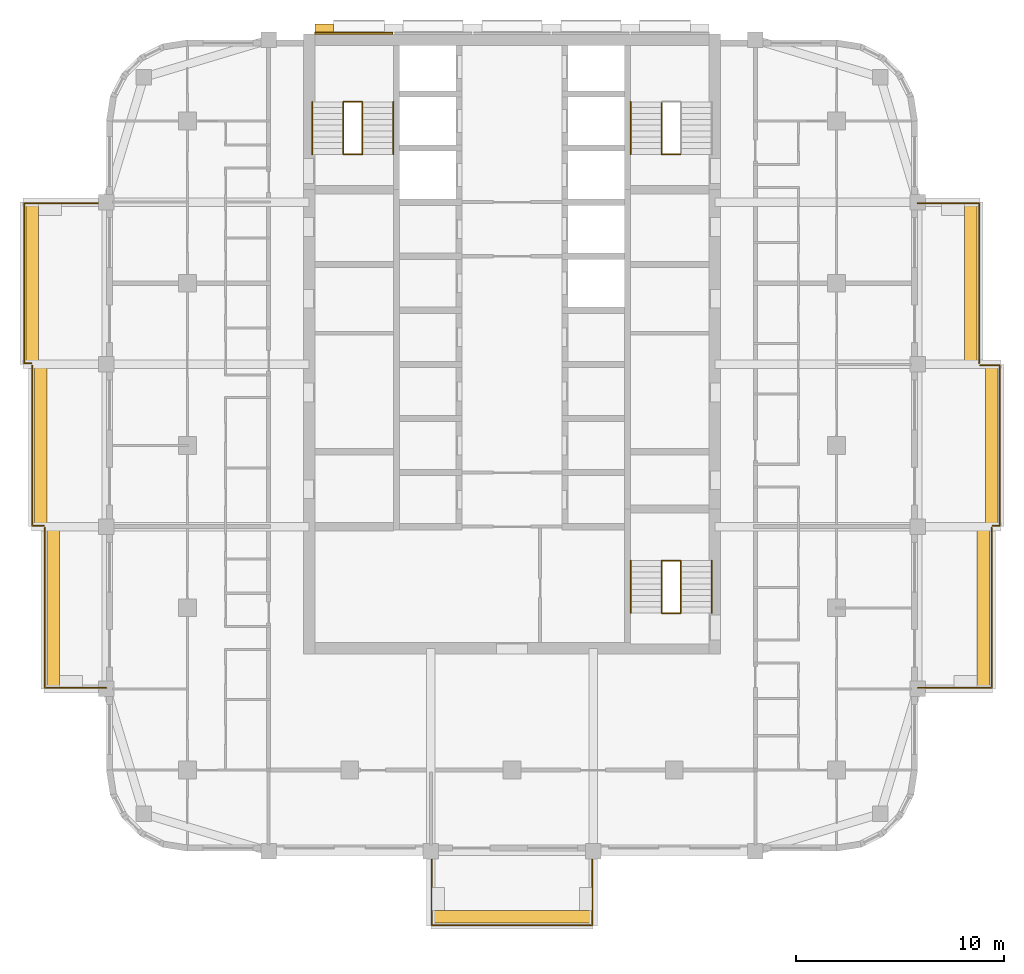
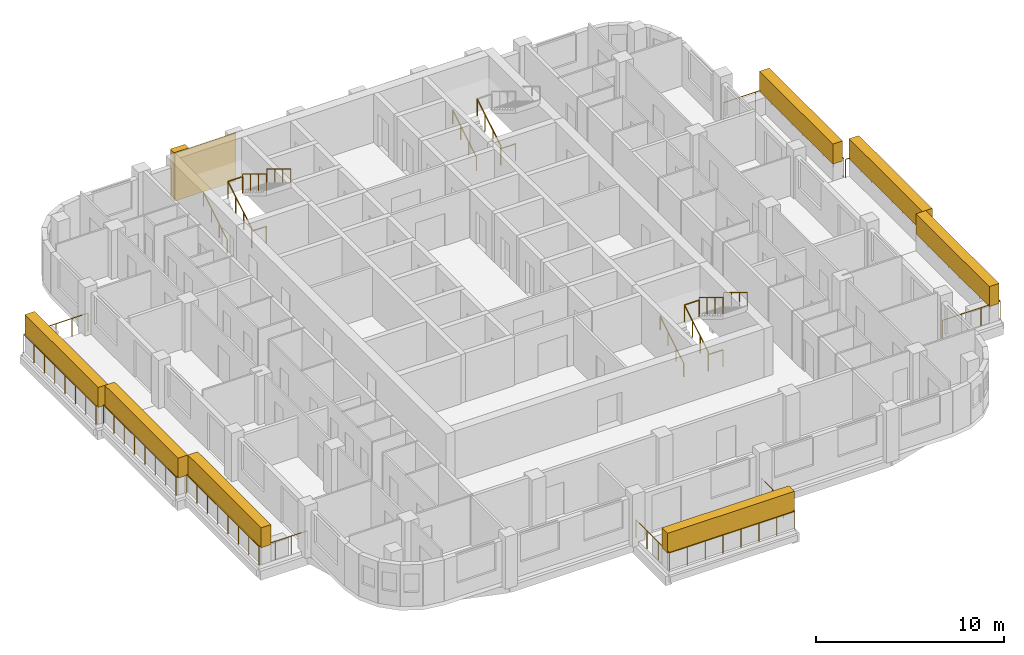
# One storey, part 12 of 13: 22 railings, 9 coverings, 3 elements without a shape of their own.
"""IFC4 building model written with IfcOpenShell, lengths in metres."""

from ifc_helpers import new_model, si_unit, direction, frame, origin, origin_2d, place, context, subcontext, project, spatial, rectangle, circle, extrude, material, layer, layer_set, type_object, element, aggregate, save


model = new_model("IFC4")

# Units and contexts
model_context = context("Model", 3, precision=1e-05, world=origin(), true_north=direction((0.0, 1.0)))
body_context = subcontext(model_context, "Body", "Model", "MODEL_VIEW")
ifc_project = project(units=[si_unit("LENGTHUNIT", "METRE"), si_unit("AREAUNIT", "SQUARE_METRE"), si_unit("VOLUMEUNIT", "CUBIC_METRE"), si_unit("PLANEANGLEUNIT", "RADIAN"), si_unit("MASSUNIT", "GRAM", prefix="KILO")], contexts=[model_context])

# Site, building, storey
site_placement = place(None, origin())
site = spatial("IfcSite", under=ifc_project, at=site_placement, CompositionType="ELEMENT")
building_placement = place(site_placement, origin())
building = spatial("IfcBuilding", under=site, at=building_placement, Name="Ludao Terraces", CompositionType="ELEMENT")
storey_placement = place(building_placement, frame((0.0, 0.0, 165.60009765625)))
storey = spatial("IfcBuildingStorey", under=building, at=storey_placement, Name="L45", CompositionType="ELEMENT", Elevation=165.60009765625)

# Railings
ifc_material_1 = material(Name="Stainless steel 304", Category="steel")
railing_type_1 = type_object("IfcRailingType", Name="ENV Balcony glass guard 1200", PredefinedType="GUARDRAIL", material=ifc_material_1)
railing_1_placement = place(storey_placement, frame((81.14990234375, 45.5, 0.0)))
element("IfcRailing", 1, at=railing_1_placement, inside=storey, type_object=railing_type_1, Name="Balcony guard L45 S1", PredefinedType="GUARDRAIL", context=body_context, shape_type="SweptSolid", body=[
    extrude(circle(Radius=0.02392578125, at=origin_2d()), frame((0.0, 0.0, 1.17578125), z_axis=(0.0, -1.0, 0.0), x_axis=(1.0, 0.0, 0.0)), (0.0, 0.0, 1.0), 3.550048828125),
    extrude(circle(Radius=0.02392578125, at=origin_2d()), frame((0.0, -3.550048828125, 1.17578125), z_axis=(1.0, 0.0, 0.0), x_axis=(0.0, 1.0, 0.0)), (0.0, 0.0, 1.0), 7.7001953125),
    extrude(circle(Radius=0.02392578125, at=origin_2d()), frame((7.7001953125, -3.550048828125, 1.17578125), z_axis=(0.0, 1.0, 0.0), x_axis=(-1.0, 0.0, 0.0)), (0.0, 0.0, 1.0), 3.550048828125),
    extrude(circle(Radius=0.02099609375, at=origin_2d()), origin(), (0.0, 0.0, 1.0), 1.15185546875),
    extrude(circle(Radius=0.02099609375, at=origin_2d()), frame((0.0, -1.183349609375, 0.0)), (0.0, 0.0, 1.0), 1.15185546875),
    extrude(circle(Radius=0.02099609375, at=origin_2d()), frame((0.0, -2.36669921875, 0.0)), (0.0, 0.0, 1.0), 1.15185546875),
    extrude(circle(Radius=0.02099609375, at=origin_2d()), frame((0.0, -3.550048828125, 0.0)), (0.0, 0.0, 1.0), 1.15185546875),
    extrude(circle(Radius=0.02099609375, at=origin_2d()), frame((1.10009765625, -3.550048828125, 0.0)), (0.0, 0.0, 1.0), 1.15185546875),
    extrude(circle(Radius=0.02099609375, at=origin_2d()), frame((2.199951171875, -3.550048828125, 0.0)), (0.0, 0.0, 1.0), 1.15185546875),
    extrude(circle(Radius=0.02099609375, at=origin_2d()), frame((3.300048828125, -3.550048828125, 0.0)), (0.0, 0.0, 1.0), 1.15185546875),
    extrude(circle(Radius=0.02099609375, at=origin_2d()), frame((4.400146484375, -3.550048828125, 0.0)), (0.0, 0.0, 1.0), 1.15185546875),
    extrude(circle(Radius=0.02099609375, at=origin_2d()), frame((5.500244140625, -3.550048828125, 0.0)), (0.0, 0.0, 1.0), 1.15185546875),
    extrude(circle(Radius=0.02099609375, at=origin_2d()), frame((6.60009765625, -3.550048828125, 0.0)), (0.0, 0.0, 1.0), 1.15185546875),
    extrude(circle(Radius=0.02099609375, at=origin_2d()), frame((7.7001953125, -3.550048828125, 0.0)), (0.0, 0.0, 1.0), 1.15185546875),
    extrude(circle(Radius=0.02099609375, at=origin_2d()), frame((7.7001953125, -2.36669921875, 0.0)), (0.0, 0.0, 1.0), 1.15185546875),
    extrude(circle(Radius=0.02099609375, at=origin_2d()), frame((7.7001953125, -1.183349609375, 0.0)), (0.0, 0.0, 1.0), 1.15185546875),
    extrude(circle(Radius=0.02099609375, at=origin_2d()), frame((7.7001953125, 0.0, 0.0)), (0.0, 0.0, 1.0), 1.15185546875),
])
railing_2_placement = place(storey_placement, frame((104.5, 53.35009765625, 0.0)))
element("IfcRailing", 2, at=railing_2_placement, inside=storey, type_object=railing_type_1, Name="Balcony guard L45 E1", PredefinedType="GUARDRAIL", context=body_context, shape_type="SweptSolid", body=[
    extrude(circle(Radius=0.02392578125, at=origin_2d()), frame((0.0, 0.0, 1.17578125), z_axis=(1.0, 0.0, 0.0), x_axis=(0.0, 1.0, 0.0)), (0.0, 0.0, 1.0), 3.550048828125),
    extrude(circle(Radius=0.02392578125, at=origin_2d()), frame((3.550048828125, 0.0, 1.17578125), z_axis=(0.0, 1.0, 0.0), x_axis=(-1.0, 0.0, 0.0)), (0.0, 0.0, 1.0), 7.699951171875),
    extrude(circle(Radius=0.02099609375, at=origin_2d()), origin(), (0.0, 0.0, 1.0), 1.15185546875),
    extrude(circle(Radius=0.02099609375, at=origin_2d()), frame((1.183349609375, 0.0, 0.0)), (0.0, 0.0, 1.0), 1.15185546875),
    extrude(circle(Radius=0.02099609375, at=origin_2d()), frame((2.36669921875, 0.0, 0.0)), (0.0, 0.0, 1.0), 1.15185546875),
    extrude(circle(Radius=0.02099609375, at=origin_2d()), frame((3.550048828125, 0.0, 0.0)), (0.0, 0.0, 1.0), 1.15185546875),
    extrude(circle(Radius=0.02099609375, at=origin_2d()), frame((3.550048828125, 1.10009765625, 0.0)), (0.0, 0.0, 1.0), 1.15185546875),
    extrude(circle(Radius=0.02099609375, at=origin_2d()), frame((3.550048828125, 2.199951171875, 0.0)), (0.0, 0.0, 1.0), 1.15185546875),
    extrude(circle(Radius=0.02099609375, at=origin_2d()), frame((3.550048828125, 3.300048828125, 0.0)), (0.0, 0.0, 1.0), 1.15185546875),
    extrude(circle(Radius=0.02099609375, at=origin_2d()), frame((3.550048828125, 4.39990234375, 0.0)), (0.0, 0.0, 1.0), 1.15185546875),
    extrude(circle(Radius=0.02099609375, at=origin_2d()), frame((3.550048828125, 5.5, 0.0)), (0.0, 0.0, 1.0), 1.15185546875),
    extrude(circle(Radius=0.02099609375, at=origin_2d()), frame((3.550048828125, 6.599853515625, 0.0)), (0.0, 0.0, 1.0), 1.15185546875),
    extrude(circle(Radius=0.02099609375, at=origin_2d()), frame((3.550048828125, 7.699951171875, 0.0)), (0.0, 0.0, 1.0), 1.15185546875),
])
railing_3_placement = place(storey_placement, frame((108.10009765625, 61.14990234375, 0.0)))
element("IfcRailing", 3, at=railing_3_placement, inside=storey, type_object=railing_type_1, Name="Balcony guard L45 E2", PredefinedType="GUARDRAIL", context=body_context, shape_type="SweptSolid", body=[
    extrude(circle(Radius=0.02392578125, at=origin_2d()), frame((0.0, 0.0, 1.17578125), z_axis=(1.0, 0.0, 0.0), x_axis=(0.0, 1.0, 0.0)), (0.0, 0.0, 1.0), 0.349853515625),
    extrude(circle(Radius=0.02392578125, at=origin_2d()), frame((0.349853515625, 0.0, 1.17578125), z_axis=(0.0, 1.0, 0.0), x_axis=(-1.0, 0.0, 0.0)), (0.0, 0.0, 1.0), 7.7001953125),
    extrude(circle(Radius=0.02392578125, at=origin_2d()), frame((0.349853515625, 7.7001953125, 1.17578125), z_axis=(-1.0, 0.0, 0.0), x_axis=(0.0, -1.0, 0.0)), (0.0, 0.0, 1.0), 0.949951171875),
    extrude(circle(Radius=0.02099609375, at=origin_2d()), origin(), (0.0, 0.0, 1.0), 1.15185546875),
    extrude(circle(Radius=0.02099609375, at=origin_2d()), frame((0.349853515625, 0.0, 0.0)), (0.0, 0.0, 1.0), 1.15185546875),
    extrude(circle(Radius=0.02099609375, at=origin_2d()), frame((0.349853515625, 1.10009765625, 0.0)), (0.0, 0.0, 1.0), 1.15185546875),
    extrude(circle(Radius=0.02099609375, at=origin_2d()), frame((0.349853515625, 2.199951171875, 0.0)), (0.0, 0.0, 1.0), 1.15185546875),
    extrude(circle(Radius=0.02099609375, at=origin_2d()), frame((0.349853515625, 3.300048828125, 0.0)), (0.0, 0.0, 1.0), 1.15185546875),
    extrude(circle(Radius=0.02099609375, at=origin_2d()), frame((0.349853515625, 4.400146484375, 0.0)), (0.0, 0.0, 1.0), 1.15185546875),
    extrude(circle(Radius=0.02099609375, at=origin_2d()), frame((0.349853515625, 5.500244140625, 0.0)), (0.0, 0.0, 1.0), 1.15185546875),
    extrude(circle(Radius=0.02099609375, at=origin_2d()), frame((0.349853515625, 6.60009765625, 0.0)), (0.0, 0.0, 1.0), 1.15185546875),
    extrude(circle(Radius=0.02099609375, at=origin_2d()), frame((0.349853515625, 7.7001953125, 0.0)), (0.0, 0.0, 1.0), 1.15185546875),
    extrude(circle(Radius=0.02099609375, at=origin_2d()), frame((-0.60009765625, 7.7001953125, 0.0)), (0.0, 0.0, 1.0), 1.15185546875),
])
railing_4_placement = place(storey_placement, frame((107.449951171875, 68.949951171875, 0.0)))
element("IfcRailing", 4, at=railing_4_placement, inside=storey, type_object=railing_type_1, Name="Balcony guard L45 E3", PredefinedType="GUARDRAIL", context=body_context, shape_type="SweptSolid", body=[
    extrude(circle(Radius=0.02392578125, at=origin_2d()), frame((0.0, 0.0, 1.17578125), z_axis=(0.0, 1.0, 0.0), x_axis=(-1.0, 0.0, 0.0)), (0.0, 0.0, 1.0), 7.699951171875),
    extrude(circle(Radius=0.02392578125, at=origin_2d()), frame((0.0, 7.699951171875, 1.17578125), z_axis=(-1.0, 0.0, 0.0), x_axis=(0.0, -1.0, 0.0)), (0.0, 0.0, 1.0), 2.949951171875),
    extrude(circle(Radius=0.02099609375, at=origin_2d()), origin(), (0.0, 0.0, 1.0), 1.15185546875),
    extrude(circle(Radius=0.02099609375, at=origin_2d()), frame((0.0, 1.10009765625, 0.0)), (0.0, 0.0, 1.0), 1.15185546875),
    extrude(circle(Radius=0.02099609375, at=origin_2d()), frame((0.0, 2.199951171875, 0.0)), (0.0, 0.0, 1.0), 1.15185546875),
    extrude(circle(Radius=0.02099609375, at=origin_2d()), frame((0.0, 3.300048828125, 0.0)), (0.0, 0.0, 1.0), 1.15185546875),
    extrude(circle(Radius=0.02099609375, at=origin_2d()), frame((0.0, 4.39990234375, 0.0)), (0.0, 0.0, 1.0), 1.15185546875),
    extrude(circle(Radius=0.02099609375, at=origin_2d()), frame((0.0, 5.5, 0.0)), (0.0, 0.0, 1.0), 1.15185546875),
    extrude(circle(Radius=0.02099609375, at=origin_2d()), frame((0.0, 6.599853515625, 0.0)), (0.0, 0.0, 1.0), 1.15185546875),
    extrude(circle(Radius=0.02099609375, at=origin_2d()), frame((0.0, 7.699951171875, 0.0)), (0.0, 0.0, 1.0), 1.15185546875),
    extrude(circle(Radius=0.02099609375, at=origin_2d()), frame((-0.9833984375, 7.699951171875, 0.0)), (0.0, 0.0, 1.0), 1.15185546875),
    extrude(circle(Radius=0.02099609375, at=origin_2d()), frame((-1.966552734375, 7.699951171875, 0.0)), (0.0, 0.0, 1.0), 1.15185546875),
    extrude(circle(Radius=0.02099609375, at=origin_2d()), frame((-2.949951171875, 7.699951171875, 0.0)), (0.0, 0.0, 1.0), 1.15185546875),
])
railing_5_placement = place(storey_placement, frame((65.5, 53.35009765625, 0.0)))
element("IfcRailing", 5, at=railing_5_placement, inside=storey, type_object=railing_type_1, Name="Balcony guard L45 W1", PredefinedType="GUARDRAIL", context=body_context, shape_type="SweptSolid", body=[
    extrude(circle(Radius=0.02392578125, at=origin_2d()), frame((0.0, 0.0, 1.17578125), z_axis=(-1.0, 0.0, 0.0), x_axis=(0.0, -1.0, 0.0)), (0.0, 0.0, 1.0), 2.949951171875),
    extrude(circle(Radius=0.02392578125, at=origin_2d()), frame((-2.949951171875, 0.0, 1.17578125), z_axis=(0.0, 1.0, 0.0), x_axis=(-1.0, 0.0, 0.0)), (0.0, 0.0, 1.0), 7.699951171875),
    extrude(circle(Radius=0.02099609375, at=origin_2d()), origin(), (0.0, 0.0, 1.0), 1.15185546875),
    extrude(circle(Radius=0.02099609375, at=origin_2d()), frame((-0.9833984375, 0.0, 0.0)), (0.0, 0.0, 1.0), 1.15185546875),
    extrude(circle(Radius=0.02099609375, at=origin_2d()), frame((-1.966552734375, 0.0, 0.0)), (0.0, 0.0, 1.0), 1.15185546875),
    extrude(circle(Radius=0.02099609375, at=origin_2d()), frame((-2.949951171875, 0.0, 0.0)), (0.0, 0.0, 1.0), 1.15185546875),
    extrude(circle(Radius=0.02099609375, at=origin_2d()), frame((-2.949951171875, 1.10009765625, 0.0)), (0.0, 0.0, 1.0), 1.15185546875),
    extrude(circle(Radius=0.02099609375, at=origin_2d()), frame((-2.949951171875, 2.199951171875, 0.0)), (0.0, 0.0, 1.0), 1.15185546875),
    extrude(circle(Radius=0.02099609375, at=origin_2d()), frame((-2.949951171875, 3.300048828125, 0.0)), (0.0, 0.0, 1.0), 1.15185546875),
    extrude(circle(Radius=0.02099609375, at=origin_2d()), frame((-2.949951171875, 4.39990234375, 0.0)), (0.0, 0.0, 1.0), 1.15185546875),
    extrude(circle(Radius=0.02099609375, at=origin_2d()), frame((-2.949951171875, 5.5, 0.0)), (0.0, 0.0, 1.0), 1.15185546875),
    extrude(circle(Radius=0.02099609375, at=origin_2d()), frame((-2.949951171875, 6.599853515625, 0.0)), (0.0, 0.0, 1.0), 1.15185546875),
    extrude(circle(Radius=0.02099609375, at=origin_2d()), frame((-2.949951171875, 7.699951171875, 0.0)), (0.0, 0.0, 1.0), 1.15185546875),
])
railing_6_placement = place(storey_placement, frame((62.5, 61.14990234375, 0.0)))
element("IfcRailing", 6, at=railing_6_placement, inside=storey, type_object=railing_type_1, Name="Balcony guard L45 W2", PredefinedType="GUARDRAIL", context=body_context, shape_type="SweptSolid", body=[
    extrude(circle(Radius=0.02392578125, at=origin_2d()), frame((0.0, 0.0, 1.17578125), z_axis=(-1.0, 0.0, 0.0), x_axis=(0.0, -1.0, 0.0)), (0.0, 0.0, 1.0), 0.550048828125),
    extrude(circle(Radius=0.02392578125, at=origin_2d()), frame((-0.550048828125, 0.0, 1.17578125), z_axis=(0.0, 1.0, 0.0), x_axis=(-1.0, 0.0, 0.0)), (0.0, 0.0, 1.0), 7.7001953125),
    extrude(circle(Radius=0.02099609375, at=origin_2d()), origin(), (0.0, 0.0, 1.0), 1.15185546875),
    extrude(circle(Radius=0.02099609375, at=origin_2d()), frame((-0.550048828125, 0.0, 0.0)), (0.0, 0.0, 1.0), 1.15185546875),
    extrude(circle(Radius=0.02099609375, at=origin_2d()), frame((-0.550048828125, 1.10009765625, 0.0)), (0.0, 0.0, 1.0), 1.15185546875),
    extrude(circle(Radius=0.02099609375, at=origin_2d()), frame((-0.550048828125, 2.199951171875, 0.0)), (0.0, 0.0, 1.0), 1.15185546875),
    extrude(circle(Radius=0.02099609375, at=origin_2d()), frame((-0.550048828125, 3.300048828125, 0.0)), (0.0, 0.0, 1.0), 1.15185546875),
    extrude(circle(Radius=0.02099609375, at=origin_2d()), frame((-0.550048828125, 4.400146484375, 0.0)), (0.0, 0.0, 1.0), 1.15185546875),
    extrude(circle(Radius=0.02099609375, at=origin_2d()), frame((-0.550048828125, 5.500244140625, 0.0)), (0.0, 0.0, 1.0), 1.15185546875),
    extrude(circle(Radius=0.02099609375, at=origin_2d()), frame((-0.550048828125, 6.60009765625, 0.0)), (0.0, 0.0, 1.0), 1.15185546875),
    extrude(circle(Radius=0.02099609375, at=origin_2d()), frame((-0.550048828125, 7.7001953125, 0.0)), (0.0, 0.0, 1.0), 1.15185546875),
])
railing_7_placement = place(storey_placement, frame((61.89990234375, 68.949951171875, 0.0)))
element("IfcRailing", 7, at=railing_7_placement, inside=storey, type_object=railing_type_1, Name="Balcony guard L45 W3", PredefinedType="GUARDRAIL", context=body_context, shape_type="SweptSolid", body=[
    extrude(circle(Radius=0.02392578125, at=origin_2d()), frame((0.0, 0.0, 1.17578125), z_axis=(-1.0, 0.0, 0.0), x_axis=(0.0, -1.0, 0.0)), (0.0, 0.0, 1.0), 0.349853515625),
    extrude(circle(Radius=0.02392578125, at=origin_2d()), frame((-0.349853515625, 0.0, 1.17578125), z_axis=(0.0, 1.0, 0.0), x_axis=(-1.0, 0.0, 0.0)), (0.0, 0.0, 1.0), 7.699951171875),
    extrude(circle(Radius=0.02392578125, at=origin_2d()), frame((-0.349853515625, 7.699951171875, 1.17578125), z_axis=(1.0, 0.0, 0.0), x_axis=(0.0, 1.0, 0.0)), (0.0, 0.0, 1.0), 3.949951171875),
    extrude(circle(Radius=0.02099609375, at=origin_2d()), origin(), (0.0, 0.0, 1.0), 1.15185546875),
    extrude(circle(Radius=0.02099609375, at=origin_2d()), frame((-0.349853515625, 0.0, 0.0)), (0.0, 0.0, 1.0), 1.15185546875),
    extrude(circle(Radius=0.02099609375, at=origin_2d()), frame((-0.349853515625, 1.10009765625, 0.0)), (0.0, 0.0, 1.0), 1.15185546875),
    extrude(circle(Radius=0.02099609375, at=origin_2d()), frame((-0.349853515625, 2.199951171875, 0.0)), (0.0, 0.0, 1.0), 1.15185546875),
    extrude(circle(Radius=0.02099609375, at=origin_2d()), frame((-0.349853515625, 3.300048828125, 0.0)), (0.0, 0.0, 1.0), 1.15185546875),
    extrude(circle(Radius=0.02099609375, at=origin_2d()), frame((-0.349853515625, 4.39990234375, 0.0)), (0.0, 0.0, 1.0), 1.15185546875),
    extrude(circle(Radius=0.02099609375, at=origin_2d()), frame((-0.349853515625, 5.5, 0.0)), (0.0, 0.0, 1.0), 1.15185546875),
    extrude(circle(Radius=0.02099609375, at=origin_2d()), frame((-0.349853515625, 6.599853515625, 0.0)), (0.0, 0.0, 1.0), 1.15185546875),
    extrude(circle(Radius=0.02099609375, at=origin_2d()), frame((-0.349853515625, 7.699951171875, 0.0)), (0.0, 0.0, 1.0), 1.15185546875),
    extrude(circle(Radius=0.02099609375, at=origin_2d()), frame((0.6376953125, 7.699951171875, 0.0)), (0.0, 0.0, 1.0), 1.15185546875),
    extrude(circle(Radius=0.02099609375, at=origin_2d()), frame((1.625, 7.699951171875, 0.0)), (0.0, 0.0, 1.0), 1.15185546875),
    extrude(circle(Radius=0.02099609375, at=origin_2d()), frame((2.612548828125, 7.699951171875, 0.0)), (0.0, 0.0, 1.0), 1.15185546875),
    extrude(circle(Radius=0.02099609375, at=origin_2d()), frame((3.60009765625, 7.699951171875, 0.0)), (0.0, 0.0, 1.0), 1.15185546875),
])

# Coverings
ifc_material_2 = material(Name="Granite cladding", Category="masonry")
ifc_layer_1 = layer(ifc_material_2, 0.39990234375)
ifc_layer_set_1 = layer_set([ifc_layer_1], Name="ENV Core pilaster stone 400")
covering_type_1 = type_object("IfcCoveringType", Name="ENV Core pilaster stone 400", PredefinedType="CLADDING", material=ifc_layer_set_1)
covering_1_placement = place(storey_placement, frame((75.97509765625, 85.054931640625, -0.000244140625), z_axis=(0.0, 0.0, 1.0), x_axis=(1.0, 0.0, 0.0)))
element("IfcCovering", 8, at=covering_1_placement, inside=storey, type_object=covering_type_1, Name="CC-L45-PIL1", PredefinedType="CLADDING", context=body_context, shape_type="SweptSolid", body=[
    extrude(rectangle(XDim=0.89990234375, YDim=0.39990234375, at=origin_2d()), origin(), (0.0, 0.0, 1.0), 3.10009765625),
])
ifc_layer_2 = layer(ifc_material_2, 0.080078125)
ifc_layer_set_2 = layer_set([ifc_layer_2], Name="ENV Core stone cladding panel 80")
covering_type_2 = type_object("IfcCoveringType", Name="ENV Core stone cladding panel 80", PredefinedType="CLADDING", material=ifc_layer_set_2)
covering_2_placement = place(storey_placement, frame((77.39501953125, 84.81494140625, -0.000244140625), z_axis=(0.0, 0.0, 1.0), x_axis=(1.0, 0.0, 0.0)))
element("IfcCovering", 9, at=covering_2_placement, inside=storey, type_object=covering_type_2, Name="CC-L45-CORE1", PredefinedType="CLADDING", context=body_context, shape_type="SweptSolid", body=[
    extrude(rectangle(XDim=3.739990234375, YDim=0.080078125, at=origin_2d()), origin(), (0.0, 0.0, 1.0), 3.10009765625),
])
ifc_material_3 = material(Name="Planting")
ifc_layer_3 = layer(ifc_material_3, 0.60009765625)
ifc_layer_set_3 = layer_set([ifc_layer_3], Name="ENV Planting hedge 600x1300")
covering_type_3 = type_object("IfcCoveringType", Name="ENV Planting hedge 600x1300", PredefinedType="USERDEFINED", material=ifc_layer_set_3)
covering_3_placement = place(storey_placement, frame((85.0, 42.35009765625, 1.10009765625), z_axis=(0.0, 0.0, 1.0), x_axis=(1.0, 0.0, 0.0)))
element("IfcCovering", 10, at=covering_3_placement, inside=storey, type_object=covering_type_3, Name="Planting hedge L45-S1", ObjectType="PLANTING", PredefinedType="USERDEFINED", context=body_context, shape_type="SweptSolid", body=[
    extrude(rectangle(XDim=7.800048828125, YDim=0.60009765625, at=origin_2d()), origin(), (0.0, 0.0, 1.0), 1.300048828125),
])
for number, where, z_axis, x_axis, name in (
    (11, (107.64990234375, 57.199951171875, 1.10009765625), (0.0, 0.0, 1.0), (1.0, 0.0, 0.0), "Planting hedge L45-E1"),
    (12, (108.050048828125, 65.0, 1.10009765625), (0.0, 0.0, 1.0), (1.0, 0.0, 0.0), "Planting hedge L45-E2"),
    (13, (107.050048828125, 72.800048828125, 1.10009765625), (0.0, 0.0, 1.0), (1.0, 0.0, 0.0), "Planting hedge L45-E3"),
    (14, (62.949951171875, 57.199951171875, 1.10009765625), (0.0, 0.0, 1.0), (1.0, 0.0, 0.0), "Planting hedge L45-W1"),
    (15, (62.35009765625, 65.0, 1.10009765625), (0.0, 0.0, 1.0), (1.0, 0.0, 0.0), "Planting hedge L45-W2"),
    (16, (61.949951171875, 72.800048828125, 1.10009765625), (0.0, 0.0, 1.0), (1.0, 0.0, 0.0), "Planting hedge L45-W3"),
):
    element("IfcCovering", number, at=place(storey_placement, frame(where, z_axis=z_axis, x_axis=x_axis)), inside=storey, type_object=covering_type_3, Name=name, ObjectType="PLANTING", PredefinedType="USERDEFINED", context=body_context, shape_type="SweptSolid", body=[
        extrude(rectangle(XDim=0.60009765625, YDim=7.800048828125, at=origin_2d()), origin(), (0.0, 0.0, 1.0), 1.300048828125),
    ])

# Stair, railings
ifc_material_4 = material(Name="Concrete C40", Category="concrete")
stair_type = type_object("IfcStairType", Name="INT Stair", PredefinedType="HALF_TURN_STAIR", material=ifc_material_4)
stair_1_placement = place(storey_placement, origin())
stair_1 = element("IfcStair", 17, at=stair_1_placement, inside=storey, type_object=stair_type, Name="EXIT STAIR 1", PredefinedType="HALF_TURN_STAIR")
railing_type_2 = type_object("IfcRailingType", Name="INT Stair guard 1100", PredefinedType="GUARDRAIL", material=ifc_material_1)
railing_8_placement = place(storey_placement, frame((76.89990234375, 79.0, 0.169921875)))
railing_8 = element("IfcRailing", 18, at=railing_8_placement, type_object=railing_type_2, Name="ST-L45-S1-R1G", PredefinedType="GUARDRAIL", context=body_context, shape_type="SweptSolid", body=[
    extrude(circle(Radius=0.02392578125, at=origin_2d()), frame((0.0, 0.0, 1.076171875), z_axis=(0.0, 0.85478489116, 0.518982456201), x_axis=(-1.0, 0.0, 0.0)), (0.0, 0.0, 1.0), 2.9482421875),
    extrude(circle(Radius=0.02099609375, at=origin_2d()), origin(), (0.0, 0.0, 1.0), 1.052001953125),
    extrude(circle(Radius=0.02099609375, at=origin_2d()), frame((0.0, 0.840087890625, 0.510009765625)), (0.0, 0.0, 1.0), 1.052001953125),
    extrude(circle(Radius=0.02099609375, at=origin_2d()), frame((0.0, 1.679931640625, 1.02001953125)), (0.0, 0.0, 1.0), 1.052001953125),
    extrude(circle(Radius=0.02099609375, at=origin_2d()), frame((0.0, 2.52001953125, 1.530029296875)), (0.0, 0.0, 1.0), 1.052001953125),
])
railing_9_placement = place(storey_placement, frame((77.800048828125, 81.52001953125, 1.869873046875)))
railing_9 = element("IfcRailing", 19, at=railing_9_placement, type_object=railing_type_2, Name="ST-L45-S1-R2G", PredefinedType="GUARDRAIL", context=body_context, shape_type="SweptSolid", body=[
    extrude(circle(Radius=0.02392578125, at=origin_2d()), frame((0.0, 0.0, 1.076171875), z_axis=(0.0, -0.85478489116, 0.518982456201), x_axis=(1.0, 0.0, 0.0)), (0.0, 0.0, 1.0), 2.9482421875),
    extrude(circle(Radius=0.02099609375, at=origin_2d()), origin(), (0.0, 0.0, 1.0), 1.052001953125),
    extrude(circle(Radius=0.02099609375, at=origin_2d()), frame((0.0, -0.840087890625, 0.510009765625)), (0.0, 0.0, 1.0), 1.052001953125),
    extrude(circle(Radius=0.02099609375, at=origin_2d()), frame((0.0, -1.679931640625, 1.02001953125)), (0.0, 0.0, 1.0), 1.052001953125),
    extrude(circle(Radius=0.02099609375, at=origin_2d()), frame((0.0, -2.52001953125, 1.530029296875)), (0.0, 0.0, 1.0), 1.052001953125),
])
railing_10_placement = place(storey_placement, frame((76.89990234375, 81.52001953125, 1.699951171875)))
railing_10 = element("IfcRailing", 20, at=railing_10_placement, type_object=railing_type_2, Name="ST-L45-S1-E1G", PredefinedType="GUARDRAIL", context=body_context, shape_type="SweptSolid", body=[
    extrude(circle(Radius=0.02392578125, at=origin_2d()), frame((0.0, 0.0, 1.076171875), z_axis=(1.0, 0.0, 0.0), x_axis=(0.0, 1.0, 0.0)), (0.0, 0.0, 1.0), 0.900146484375),
    extrude(circle(Radius=0.02099609375, at=origin_2d()), origin(), (0.0, 0.0, 1.0), 1.052001953125),
    extrude(circle(Radius=0.02099609375, at=origin_2d()), frame((0.900146484375, 0.0, 0.0)), (0.0, 0.0, 1.0), 1.052001953125),
])
railing_11_placement = place(storey_placement, frame((76.89990234375, 79.0, 0.0)))
railing_11 = element("IfcRailing", 21, at=railing_11_placement, type_object=railing_type_2, Name="ST-L45-S1-E2G", PredefinedType="GUARDRAIL", context=body_context, shape_type="SweptSolid", body=[
    extrude(circle(Radius=0.02392578125, at=origin_2d()), frame((0.0, 0.0, 1.076171875), z_axis=(1.0, 0.0, 0.0), x_axis=(0.0, 1.0, 0.0)), (0.0, 0.0, 1.0), 0.900146484375),
    extrude(circle(Radius=0.02099609375, at=origin_2d()), origin(), (0.0, 0.0, 1.0), 1.052001953125),
    extrude(circle(Radius=0.02099609375, at=origin_2d()), frame((0.900146484375, 0.0, 0.0)), (0.0, 0.0, 1.0), 1.052001953125),
])

stair_2_placement = place(storey_placement, origin())
stair_2 = element("IfcStair", 22, at=stair_2_placement, inside=storey, type_object=stair_type, Name="EXIT STAIR 2", PredefinedType="HALF_TURN_STAIR")
railing_12_placement = place(storey_placement, frame((92.199951171875, 79.0, 0.169921875)))
railing_12 = element("IfcRailing", 23, at=railing_12_placement, type_object=railing_type_2, Name="ST-L45-S2-R1G", PredefinedType="GUARDRAIL", context=body_context, shape_type="SweptSolid", body=[
    extrude(circle(Radius=0.02392578125, at=origin_2d()), frame((0.0, 0.0, 1.076171875), z_axis=(0.0, 0.85478489116, 0.518982456201), x_axis=(-1.0, 0.0, 0.0)), (0.0, 0.0, 1.0), 2.9482421875),
    extrude(circle(Radius=0.02099609375, at=origin_2d()), origin(), (0.0, 0.0, 1.0), 1.052001953125),
    extrude(circle(Radius=0.02099609375, at=origin_2d()), frame((0.0, 0.840087890625, 0.510009765625)), (0.0, 0.0, 1.0), 1.052001953125),
    extrude(circle(Radius=0.02099609375, at=origin_2d()), frame((0.0, 1.679931640625, 1.02001953125)), (0.0, 0.0, 1.0), 1.052001953125),
    extrude(circle(Radius=0.02099609375, at=origin_2d()), frame((0.0, 2.52001953125, 1.530029296875)), (0.0, 0.0, 1.0), 1.052001953125),
])
railing_13_placement = place(storey_placement, frame((92.199951171875, 79.0, 0.0)))
railing_13 = element("IfcRailing", 24, at=railing_13_placement, type_object=railing_type_2, Name="ST-L45-S2-E2G", PredefinedType="GUARDRAIL", context=body_context, shape_type="SweptSolid", body=[
    extrude(circle(Radius=0.02392578125, at=origin_2d()), frame((0.0, 0.0, 1.076171875), z_axis=(1.0, 0.0, 0.0), x_axis=(0.0, 1.0, 0.0)), (0.0, 0.0, 1.0), 0.900146484375),
    extrude(circle(Radius=0.02099609375, at=origin_2d()), origin(), (0.0, 0.0, 1.0), 1.052001953125),
    extrude(circle(Radius=0.02099609375, at=origin_2d()), frame((0.900146484375, 0.0, 0.0)), (0.0, 0.0, 1.0), 1.052001953125),
])

stair_3_placement = place(storey_placement, origin())
stair_3 = element("IfcStair", 25, at=stair_3_placement, inside=storey, type_object=stair_type, Name="EXIT STAIR 3", PredefinedType="HALF_TURN_STAIR")
railing_14_placement = place(storey_placement, frame((92.199951171875, 56.949951171875, 0.169921875)))
railing_14 = element("IfcRailing", 26, at=railing_14_placement, type_object=railing_type_2, Name="ST-L45-S3-R1G", PredefinedType="GUARDRAIL", context=body_context, shape_type="SweptSolid", body=[
    extrude(circle(Radius=0.02392578125, at=origin_2d()), frame((0.0, 0.0, 1.076171875), z_axis=(0.0, 0.85478489116, 0.518982456201), x_axis=(-1.0, 0.0, 0.0)), (0.0, 0.0, 1.0), 2.9482421875),
    extrude(circle(Radius=0.02099609375, at=origin_2d()), origin(), (0.0, 0.0, 1.0), 1.052001953125),
    extrude(circle(Radius=0.02099609375, at=origin_2d()), frame((0.0, 0.840087890625, 0.510009765625)), (0.0, 0.0, 1.0), 1.052001953125),
    extrude(circle(Radius=0.02099609375, at=origin_2d()), frame((0.0, 1.679931640625, 1.02001953125)), (0.0, 0.0, 1.0), 1.052001953125),
    extrude(circle(Radius=0.02099609375, at=origin_2d()), frame((0.0, 2.52001953125, 1.530029296875)), (0.0, 0.0, 1.0), 1.052001953125),
])
railing_15_placement = place(storey_placement, frame((93.10009765625, 59.469970703125, 1.869873046875)))
railing_15 = element("IfcRailing", 27, at=railing_15_placement, type_object=railing_type_2, Name="ST-L45-S3-R2G", PredefinedType="GUARDRAIL", context=body_context, shape_type="SweptSolid", body=[
    extrude(circle(Radius=0.02392578125, at=origin_2d()), frame((0.0, 0.0, 1.076171875), z_axis=(0.0, -0.85478489116, 0.518982456201), x_axis=(1.0, 0.0, 0.0)), (0.0, 0.0, 1.0), 2.9482421875),
    extrude(circle(Radius=0.02099609375, at=origin_2d()), origin(), (0.0, 0.0, 1.0), 1.052001953125),
    extrude(circle(Radius=0.02099609375, at=origin_2d()), frame((0.0, -0.840087890625, 0.510009765625)), (0.0, 0.0, 1.0), 1.052001953125),
    extrude(circle(Radius=0.02099609375, at=origin_2d()), frame((0.0, -1.679931640625, 1.02001953125)), (0.0, 0.0, 1.0), 1.052001953125),
    extrude(circle(Radius=0.02099609375, at=origin_2d()), frame((0.0, -2.52001953125, 1.530029296875)), (0.0, 0.0, 1.0), 1.052001953125),
])
railing_16_placement = place(storey_placement, frame((92.199951171875, 59.469970703125, 1.699951171875)))
railing_16 = element("IfcRailing", 28, at=railing_16_placement, type_object=railing_type_2, Name="ST-L45-S3-E1G", PredefinedType="GUARDRAIL", context=body_context, shape_type="SweptSolid", body=[
    extrude(circle(Radius=0.02392578125, at=origin_2d()), frame((0.0, 0.0, 1.076171875), z_axis=(1.0, 0.0, 0.0), x_axis=(0.0, 1.0, 0.0)), (0.0, 0.0, 1.0), 0.900146484375),
    extrude(circle(Radius=0.02099609375, at=origin_2d()), origin(), (0.0, 0.0, 1.0), 1.052001953125),
    extrude(circle(Radius=0.02099609375, at=origin_2d()), frame((0.900146484375, 0.0, 0.0)), (0.0, 0.0, 1.0), 1.052001953125),
])
railing_17_placement = place(storey_placement, frame((92.199951171875, 56.949951171875, 0.0)))
railing_17 = element("IfcRailing", 29, at=railing_17_placement, type_object=railing_type_2, Name="ST-L45-S3-E2G", PredefinedType="GUARDRAIL", context=body_context, shape_type="SweptSolid", body=[
    extrude(circle(Radius=0.02392578125, at=origin_2d()), frame((0.0, 0.0, 1.076171875), z_axis=(1.0, 0.0, 0.0), x_axis=(0.0, 1.0, 0.0)), (0.0, 0.0, 1.0), 0.900146484375),
    extrude(circle(Radius=0.02099609375, at=origin_2d()), origin(), (0.0, 0.0, 1.0), 1.052001953125),
    extrude(circle(Radius=0.02099609375, at=origin_2d()), frame((0.900146484375, 0.0, 0.0)), (0.0, 0.0, 1.0), 1.052001953125),
])

# Railing
railing_type_3 = type_object("IfcRailingType", Name="INT Stair handrail 900", PredefinedType="HANDRAIL", material=ifc_material_1)
railing_18_placement = place(storey_placement, frame((75.39990234375, 79.0, 0.169921875)))
railing_18 = element("IfcRailing", 30, at=railing_18_placement, type_object=railing_type_3, Name="ST-L45-S1-R1H", PredefinedType="HANDRAIL", context=body_context, shape_type="SweptSolid", body=[
    extrude(circle(Radius=0.02392578125, at=origin_2d()), frame((0.0, 0.0, 0.8759765625), z_axis=(0.0, 0.85478489116, 0.518982456201), x_axis=(-1.0, 0.0, 0.0)), (0.0, 0.0, 1.0), 2.9482421875),
    extrude(circle(Radius=0.02099609375, at=origin_2d()), origin(), (0.0, 0.0, 1.0), 0.851806640625),
    extrude(circle(Radius=0.02099609375, at=origin_2d()), frame((0.0, 0.840087890625, 0.510009765625)), (0.0, 0.0, 1.0), 0.851806640625),
    extrude(circle(Radius=0.02099609375, at=origin_2d()), frame((0.0, 1.679931640625, 1.02001953125)), (0.0, 0.0, 1.0), 0.851806640625),
    extrude(circle(Radius=0.02099609375, at=origin_2d()), frame((0.0, 2.52001953125, 1.530029296875)), (0.0, 0.0, 1.0), 0.851806640625),
])

railing_19_placement = place(storey_placement, frame((79.300048828125, 81.52001953125, 1.869873046875)))
railing_19 = element("IfcRailing", 31, at=railing_19_placement, type_object=railing_type_3, Name="ST-L45-S1-R2H", PredefinedType="HANDRAIL", context=body_context, shape_type="SweptSolid", body=[
    extrude(circle(Radius=0.02392578125, at=origin_2d()), frame((0.0, 0.0, 0.8759765625), z_axis=(0.0, -0.85478489116, 0.518982456201), x_axis=(1.0, 0.0, 0.0)), (0.0, 0.0, 1.0), 2.9482421875),
    extrude(circle(Radius=0.02099609375, at=origin_2d()), origin(), (0.0, 0.0, 1.0), 0.851806640625),
    extrude(circle(Radius=0.02099609375, at=origin_2d()), frame((0.0, -0.840087890625, 0.510009765625)), (0.0, 0.0, 1.0), 0.851806640625),
    extrude(circle(Radius=0.02099609375, at=origin_2d()), frame((0.0, -1.679931640625, 1.02001953125)), (0.0, 0.0, 1.0), 0.851806640625),
    extrude(circle(Radius=0.02099609375, at=origin_2d()), frame((0.0, -2.52001953125, 1.530029296875)), (0.0, 0.0, 1.0), 0.851806640625),
])

aggregate(stair_1, [railing_8, railing_18, railing_9, railing_19, railing_10, railing_11])

railing_20_placement = place(storey_placement, frame((90.699951171875, 79.0, 0.169921875)))
railing_20 = element("IfcRailing", 32, at=railing_20_placement, type_object=railing_type_3, Name="ST-L45-S2-R1H", PredefinedType="HANDRAIL", context=body_context, shape_type="SweptSolid", body=[
    extrude(circle(Radius=0.02392578125, at=origin_2d()), frame((0.0, 0.0, 0.8759765625), z_axis=(0.0, 0.85478489116, 0.518982456201), x_axis=(-1.0, 0.0, 0.0)), (0.0, 0.0, 1.0), 2.9482421875),
    extrude(circle(Radius=0.02099609375, at=origin_2d()), origin(), (0.0, 0.0, 1.0), 0.851806640625),
    extrude(circle(Radius=0.02099609375, at=origin_2d()), frame((0.0, 0.840087890625, 0.510009765625)), (0.0, 0.0, 1.0), 0.851806640625),
    extrude(circle(Radius=0.02099609375, at=origin_2d()), frame((0.0, 1.679931640625, 1.02001953125)), (0.0, 0.0, 1.0), 0.851806640625),
    extrude(circle(Radius=0.02099609375, at=origin_2d()), frame((0.0, 2.52001953125, 1.530029296875)), (0.0, 0.0, 1.0), 0.851806640625),
])

aggregate(stair_2, [railing_12, railing_20, railing_13])

railing_21_placement = place(storey_placement, frame((90.699951171875, 56.949951171875, 0.169921875)))
railing_21 = element("IfcRailing", 33, at=railing_21_placement, type_object=railing_type_3, Name="ST-L45-S3-R1H", PredefinedType="HANDRAIL", context=body_context, shape_type="SweptSolid", body=[
    extrude(circle(Radius=0.02392578125, at=origin_2d()), frame((0.0, 0.0, 0.8759765625), z_axis=(0.0, 0.85478489116, 0.518982456201), x_axis=(-1.0, 0.0, 0.0)), (0.0, 0.0, 1.0), 2.9482421875),
    extrude(circle(Radius=0.02099609375, at=origin_2d()), origin(), (0.0, 0.0, 1.0), 0.851806640625),
    extrude(circle(Radius=0.02099609375, at=origin_2d()), frame((0.0, 0.840087890625, 0.510009765625)), (0.0, 0.0, 1.0), 0.851806640625),
    extrude(circle(Radius=0.02099609375, at=origin_2d()), frame((0.0, 1.679931640625, 1.02001953125)), (0.0, 0.0, 1.0), 0.851806640625),
    extrude(circle(Radius=0.02099609375, at=origin_2d()), frame((0.0, 2.52001953125, 1.530029296875)), (0.0, 0.0, 1.0), 0.851806640625),
])

railing_22_placement = place(storey_placement, frame((94.60009765625, 59.469970703125, 1.869873046875)))
railing_22 = element("IfcRailing", 34, at=railing_22_placement, type_object=railing_type_3, Name="ST-L45-S3-R2H", PredefinedType="HANDRAIL", context=body_context, shape_type="SweptSolid", body=[
    extrude(circle(Radius=0.02392578125, at=origin_2d()), frame((0.0, 0.0, 0.8759765625), z_axis=(0.0, -0.85478489116, 0.518982456201), x_axis=(1.0, 0.0, 0.0)), (0.0, 0.0, 1.0), 2.9482421875),
    extrude(circle(Radius=0.02099609375, at=origin_2d()), origin(), (0.0, 0.0, 1.0), 0.851806640625),
    extrude(circle(Radius=0.02099609375, at=origin_2d()), frame((0.0, -0.840087890625, 0.510009765625)), (0.0, 0.0, 1.0), 0.851806640625),
    extrude(circle(Radius=0.02099609375, at=origin_2d()), frame((0.0, -1.679931640625, 1.02001953125)), (0.0, 0.0, 1.0), 0.851806640625),
    extrude(circle(Radius=0.02099609375, at=origin_2d()), frame((0.0, -2.52001953125, 1.530029296875)), (0.0, 0.0, 1.0), 0.851806640625),
])

aggregate(stair_3, [railing_14, railing_21, railing_15, railing_22, railing_16, railing_17])

save(model, "model.ifc")
